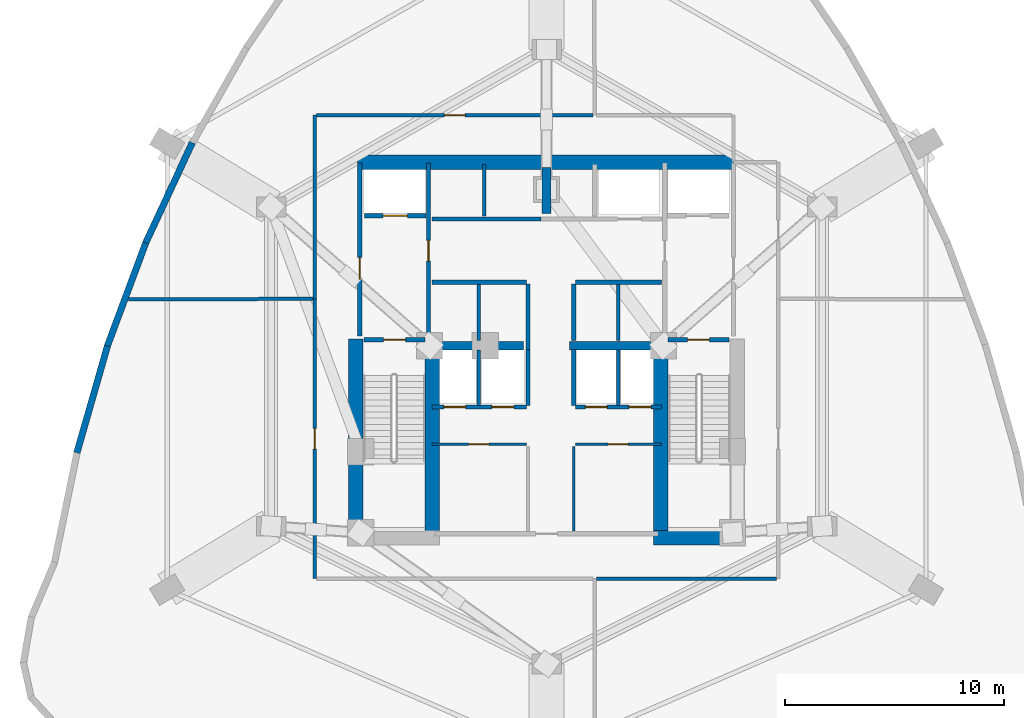
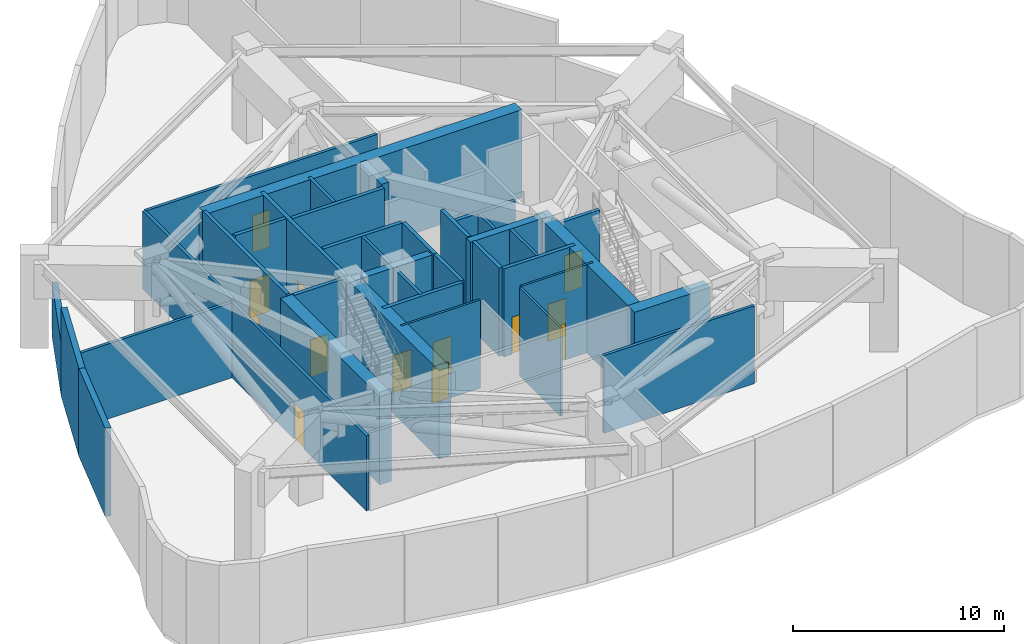
# One storey, part 3 of 6: 38 walls, 13 doors, 13 openings.
"""IFC4 building model written with IfcOpenShell, lengths in metres."""

from ifc_helpers import new_model, si_unit, direction, frame, frame_2d, origin, place, context, subcontext, project, spatial, rectangle, extrude, material, layer, layer_set, type_object, element, fill, save


model = new_model("IFC4")

# Units and contexts
model_context = context("Model", 3, precision=1e-05, world=origin(), true_north=direction((0.0, 1.0)))
body_context = subcontext(model_context, "Body", "Model", "MODEL_VIEW")
ifc_project = project(units=[si_unit("LENGTHUNIT", "METRE"), si_unit("AREAUNIT", "SQUARE_METRE"), si_unit("VOLUMEUNIT", "CUBIC_METRE"), si_unit("PLANEANGLEUNIT", "RADIAN"), si_unit("MASSUNIT", "GRAM", prefix="KILO")], contexts=[model_context])

# Site, building, storey
site_placement = place(None, origin())
site = spatial("IfcSite", under=ifc_project, at=site_placement, CompositionType="ELEMENT")
building_placement = place(site_placement, origin())
building = spatial("IfcBuilding", under=site, at=building_placement, Name="Miruveldt Soraemaru", CompositionType="ELEMENT")
storey_placement = place(building_placement, frame((0.0, 0.0, 90.39990234375)))
storey = spatial("IfcBuildingStorey", under=building, at=storey_placement, Name="L25", CompositionType="ELEMENT", Elevation=90.39990234375)

# Walls
ifc_material_1 = material(Name="Concrete C70/85 (70 MPa)", Category="concrete")
ifc_layer_1 = layer(ifc_material_1, 0.5, Name="Concrete C70/85 (70 MPa)", Category="concrete")
ifc_layer_set_1 = layer_set([ifc_layer_1], Name="Concrete C70/85 (70 MPa)")
wall_type_1 = type_object("IfcWallType", Name="WALL-BW-500", PredefinedType="SHEAR", material=ifc_layer_set_1)
wall_1_placement = place(storey_placement, frame((44.0, 50.10009765625, 0.0), z_axis=(0.0, 0.0, 1.0), x_axis=(0.0, 1.0, 0.0)))
element("IfcWall", 1, at=wall_1_placement, inside=storey, type_object=wall_type_1, Name="L25 Core Buttress Shear Wall BN", PredefinedType="SHEAR", context=body_context, shape_type="SweptSolid", body=[
    extrude(rectangle(XDim=2.099853515625, YDim=0.39990234375, at=frame_2d((1.0498046875, 0.0))), origin(), (0.0, 0.0, 1.0), 5.10009765625),
])
for number, where, z_axis, x_axis, name in (
    (2, (38.75, 44.050048828125, 0.0), (0.0, 0.0, 1.0), (1.0, 0.0, 0.0), "L25 Core Buttress Shear Wall BW"),
    (3, (45.050048828125, 44.050048828125, 0.0), (0.0, 0.0, 1.0), (1.0, 0.0, 0.0), "L25 Core Buttress Shear Wall BE"),
):
    element("IfcWall", number, at=place(storey_placement, frame(where, z_axis=z_axis, x_axis=x_axis)), inside=storey, type_object=wall_type_1, Name=name, PredefinedType="SHEAR", context=body_context, shape_type="SweptSolid", body=[
        extrude(rectangle(XDim=4.199951171875, YDim=0.39990234375, at=frame_2d((2.10009765625, 0.0))), origin(), (0.0, 0.0, 1.0), 5.10009765625),
    ])
ifc_material_2 = material(Name="Concrete C80/95 (80 MPa)", Category="concrete")
ifc_layer_2 = layer(ifc_material_2, 0.64990234375, Name="Concrete C80/95 (80 MPa)", Category="concrete")
ifc_layer_set_2 = layer_set([ifc_layer_2], Name="Concrete C80/95 (80 MPa)")
wall_type_2 = type_object("IfcWallType", Name="WALL-CW-650", PredefinedType="SHEAR", material=ifc_layer_set_2)
wall_2_placement = place(storey_placement, frame((35.35009765625, 52.449951171875, 0.0), z_axis=(0.0, 0.0, 1.0), x_axis=(1.0, 0.0, 0.0)))
element("IfcWall", 4, at=wall_2_placement, inside=storey, type_object=wall_type_2, Name="L25 Central Core Shear Wall N", PredefinedType="SHEAR", context=body_context, shape_type="SweptSolid", body=[
    extrude(rectangle(XDim=17.2998046875, YDim=0.64990234375, at=frame_2d((8.64990234375, 0.0))), origin(), (0.0, 0.0, 1.0), 5.10009765625),
])
wall_3_placement = place(storey_placement, frame((48.89990234375, 35.27490234375, 0.0), z_axis=(0.0, 0.0, 1.0), x_axis=(1.0, 0.0, 0.0)))
element("IfcWall", 5, at=wall_3_placement, inside=storey, type_object=wall_type_2, Name="L25 Central Core Shear Wall S2", PredefinedType="SHEAR", context=body_context, shape_type="SweptSolid", body=[
    extrude(rectangle(XDim=4.150146484375, YDim=0.64990234375, at=frame_2d((2.0751953125, 0.0))), origin(), (0.0, 0.0, 1.0), 5.10009765625),
])
wall_4_placement = place(storey_placement, frame((35.27490234375, 34.949951171875, 0.0), z_axis=(0.0, 0.0, 1.0), x_axis=(0.0, 1.0, 0.0)))
element("IfcWall", 6, at=wall_4_placement, inside=storey, type_object=wall_type_2, Name="L25 Central Core Shear Wall W1", PredefinedType="SHEAR", context=body_context, shape_type="SweptSolid", body=[
    extrude(rectangle(XDim=9.400146484375, YDim=0.64990234375, at=frame_2d((4.7001953125, 0.0))), origin(), (0.0, 0.0, 1.0), 5.10009765625),
])
for number, where, z_axis, x_axis, name in (
    (7, (38.77490234375, 35.39990234375, 0.0), (0.0, 0.0, 1.0), (0.0, 1.0, 0.0), "L25 Central Core Shear Wall SW-INT"),
    (8, (49.22509765625, 35.39990234375, 0.0), (0.0, 0.0, 1.0), (0.0, 1.0, 0.0), "L25 Central Core Shear Wall SE-INT"),
):
    element("IfcWall", number, at=place(storey_placement, frame(where, z_axis=z_axis, x_axis=x_axis)), inside=storey, type_object=wall_type_2, Name=name, PredefinedType="SHEAR", context=body_context, shape_type="SweptSolid", body=[
        extrude(rectangle(XDim=8.9501953125, YDim=0.64990234375, at=frame_2d((4.47509765625, 0.0))), origin(), (0.0, 0.0, 1.0), 5.10009765625),
    ])
ifc_material_3 = material(Name="Precast concrete C45/55 (45 MPa)", Category="concrete")
ifc_layer_3 = layer(ifc_material_3, 0.300048828125, Name="Precast concrete C45/55 (45 MPa)", Category="concrete")
ifc_layer_set_3 = layer_set([ifc_layer_3], Name="Precast concrete C45/55 (45 MPa)")
wall_type_3 = type_object("IfcWallType", Name="WALL-EXT-PC300", PredefinedType="SOLIDWALL", material=ifc_layer_set_3)
wall_5_placement = place(storey_placement, frame((27.800048828125, 53.3447265625, 0.0), z_axis=(0.0, 0.0, 1.0), x_axis=(-0.422304370011, -0.906454090988, 0.0)))
element("IfcWall", 9, at=wall_5_placement, inside=storey, type_object=wall_type_3, Name="L25 Precast Concrete Facade Wall 11", PredefinedType="SOLIDWALL", context=body_context, shape_type="SweptSolid", body=[
    extrude(rectangle(XDim=5.060791015625, YDim=0.300048828125, at=frame_2d((2.5302734375, 0.0))), origin(), (0.0, 0.0, 1.0), 3.088134765625),
])
wall_6_placement = place(storey_placement, frame((25.689697265625, 48.82177734375, 0.0), z_axis=(0.0, 0.0, 1.0), x_axis=(-0.349000064304, -0.937122700139, 0.0)))
element("IfcWall", 10, at=wall_6_placement, inside=storey, type_object=wall_type_3, Name="L25 Precast Concrete Facade Wall 12", PredefinedType="SOLIDWALL", context=body_context, shape_type="SweptSolid", body=[
    extrude(rectangle(XDim=5.0927734375, YDim=0.300048828125, at=frame_2d((2.54638671875, 0.0))), origin(), (0.0, 0.0, 1.0), 5.10009765625),
])
wall_7_placement = place(storey_placement, frame((23.93408203125, 44.115966796875, 0.0), z_axis=(0.0, 0.0, 1.0), x_axis=(-0.274933764691, -0.961463168839, 0.0)))
element("IfcWall", 11, at=wall_7_placement, inside=storey, type_object=wall_type_3, Name="L25 Precast Concrete Facade Wall 13", PredefinedType="SOLIDWALL", context=body_context, shape_type="SweptSolid", body=[
    extrude(rectangle(XDim=5.15576171875, YDim=0.300048828125, at=frame_2d((2.577880859375, 0.0))), origin(), (0.0, 0.0, 1.0), 5.10009765625),
])

# Wall, opening, door
ifc_material_4 = material(Name="Gypsum plasterboard lining", Category="gypsum")
ifc_layer_4 = layer(ifc_material_4, 0.1201171875, Name="Gypsum plasterboard lining", Category="gypsum")
ifc_layer_set_4 = layer_set([ifc_layer_4], Name="Gypsum plasterboard lining")
wall_type_4 = type_object("IfcWallType", Name="WALL-INT-P120", PredefinedType="PARTITIONING", material=ifc_layer_set_4)
wall_8_placement = place(storey_placement, frame((38.75, 39.550048828125, 0.0), z_axis=(0.0, 0.0, 1.0), x_axis=(1.0, 0.0, 0.0)))
wall_8 = element("IfcWall", 12, at=wall_8_placement, inside=storey, type_object=wall_type_4, Name="L25 Core Compartment Wall CSW-N", PredefinedType="PARTITIONING", context=body_context, shape_type="SweptSolid", body=[
    extrude(rectangle(XDim=4.330078125, YDim=0.1201171875, at=frame_2d((2.1650390625, 0.0))), origin(), (0.0, 0.0, 1.0), 5.10009765625),
])
opening_1_placement = place(wall_8_placement, frame((1.68994140625, 0.0, 0.0)))
opening_1 = element("IfcOpeningElement", 13, at=opening_1_placement, cuts=wall_8, Name="Opening D3A", PredefinedType="OPENING", context=body_context, shape_type="SweptSolid", body=[
    extrude(rectangle(XDim=0.919921875, YDim=2.10009765625, at=frame_2d((0.4599609375, 1.050048828125))), frame((0.0, 0.070068359375, 0.0), z_axis=(0.0, -1.0, 0.0), x_axis=(1.0, 0.0, 0.0)), (0.0, 0.0, 1.0), 0.14013671875),
])
ifc_material_5 = material(Name="Anodised aluminium EN AW-6063 T6", Category="aluminium")
door_type_1 = type_object("IfcDoorType", Name="DOOR-INT-920", OperationType="NOTDEFINED", PredefinedType="DOOR", material=ifc_material_5)
door_1_placement = place(opening_1_placement, origin())
door_1 = element("IfcDoor", 14, at=door_1_placement, inside=storey, type_object=door_type_1, Name="L25 Fire Door", OperationType="SINGLE_SWING_LEFT", OverallHeight=2.10009765625, OverallWidth=0.919921875, PredefinedType="DOOR", context=body_context, shape_type="SweptSolid", body=[
    extrude(rectangle(XDim=0.919921875, YDim=2.10009765625, at=frame_2d((0.4599609375, 1.050048828125))), frame((0.0, 0.02490234375, 0.0), z_axis=(0.0, -1.0, 0.0), x_axis=(1.0, 0.0, 0.0)), (0.0, 0.0, 1.0), 0.050048828125),
])
fill(opening_1, door_1)

wall_9_placement = place(storey_placement, frame((45.320068359375, 39.550048828125, 0.0), z_axis=(0.0, 0.0, 1.0), x_axis=(1.0, 0.0, 0.0)))
wall_9 = element("IfcWall", 15, at=wall_9_placement, inside=storey, type_object=wall_type_4, Name="L25 Core Compartment Wall CSE-N", PredefinedType="PARTITIONING", context=body_context, shape_type="SweptSolid", body=[
    extrude(rectangle(XDim=3.929931640625, YDim=0.1201171875, at=frame_2d((1.96484375, 0.0))), origin(), (0.0, 0.0, 1.0), 5.10009765625),
])
opening_2_placement = place(wall_9_placement, frame((1.489990234375, 0.0, 0.0)))
opening_2 = element("IfcOpeningElement", 16, at=opening_2_placement, cuts=wall_9, Name="Opening D3A", PredefinedType="OPENING", context=body_context, shape_type="SweptSolid", body=[
    extrude(rectangle(XDim=0.919921875, YDim=2.10009765625, at=frame_2d((0.4599609375, 1.050048828125))), frame((0.0, 0.070068359375, 0.0), z_axis=(0.0, -1.0, 0.0), x_axis=(1.0, 0.0, 0.0)), (0.0, 0.0, 1.0), 0.14013671875),
])
door_2_placement = place(opening_2_placement, origin())
door_2 = element("IfcDoor", 17, at=door_2_placement, inside=storey, type_object=door_type_1, Name="L25 Fire Door", OperationType="SINGLE_SWING_LEFT", OverallHeight=2.10009765625, OverallWidth=0.919921875, PredefinedType="DOOR", context=body_context, shape_type="SweptSolid", body=[
    extrude(rectangle(XDim=0.919921875, YDim=2.10009765625, at=frame_2d((0.4599609375, 1.050048828125))), frame((0.0, 0.02490234375, 0.0), z_axis=(0.0, -1.0, 0.0), x_axis=(1.0, 0.0, 0.0)), (0.0, 0.0, 1.0), 0.050048828125),
])
fill(opening_2, door_2)

# Wall
wall_10_placement = place(storey_placement, frame((45.25, 35.580078125, 0.0), z_axis=(0.0, 0.0, 1.0), x_axis=(0.0, 1.0, 0.0)))
element("IfcWall", 18, at=wall_10_placement, inside=storey, type_object=wall_type_4, Name="L25 Core Compartment Wall SP-ES", PredefinedType="PARTITIONING", context=body_context, shape_type="SweptSolid", body=[
    extrude(rectangle(XDim=3.869873046875, YDim=0.1201171875, at=frame_2d((1.93505859375, 0.0))), origin(), (0.0, 0.0, 1.0), 5.10009765625),
])

# Wall, opening, door
ifc_material_6 = material(Name="Concrete C40/50 (40 MPa)", Category="concrete")
ifc_layer_5 = layer(ifc_material_6, 0.159912109375, Name="Concrete C40/50 (40 MPa)", Category="concrete")
ifc_layer_set_5 = layer_set([ifc_layer_5], Name="Concrete C40/50 (40 MPa)")
wall_type_5 = type_object("IfcWallType", Name="WALL-INT-RC160", PredefinedType="SOLIDWALL", material=ifc_layer_set_5)
wall_11_placement = place(storey_placement, frame((33.39990234375, 46.199951171875, 0.0), z_axis=(0.0, 0.0, 1.0), x_axis=(0.0, -1.0, 0.0)))
wall_11 = element("IfcWall", 19, at=wall_11_placement, inside=storey, type_object=wall_type_5, Name="L25 Partition Wall 1", PredefinedType="SOLIDWALL", context=body_context, shape_type="SweptSolid", body=[
    extrude(rectangle(XDim=12.800048828125, YDim=0.159912109375, at=frame_2d((6.39990234375, 0.0))), origin(), (0.0, 0.0, 1.0), 4.338134765625),
])
opening_3_placement = place(wall_11_placement, frame((5.925048828125, 0.0, 0.0)))
opening_3 = element("IfcOpeningElement", 20, at=opening_3_placement, cuts=wall_11, Name="Opening FD2", PredefinedType="OPENING", context=body_context, shape_type="SweptSolid", body=[
    extrude(rectangle(XDim=0.949951171875, YDim=2.14990234375, at=frame_2d((0.47509765625, 1.074951171875))), frame((0.0, 0.08984375, 0.0), z_axis=(0.0, -1.0, 0.0), x_axis=(1.0, 0.0, 0.0)), (0.0, 0.0, 1.0), 0.179931640625),
])
door_type_2 = type_object("IfcDoorType", Name="DOOR-FD2-950", OperationType="NOTDEFINED", PredefinedType="DOOR", material=ifc_material_5)
door_3_placement = place(opening_3_placement, origin())
door_3 = element("IfcDoor", 21, at=door_3_placement, inside=storey, type_object=door_type_2, Name="L25 Refuge Area Fire Door", OperationType="SINGLE_SWING_RIGHT", OverallHeight=2.14990234375, OverallWidth=0.949951171875, PredefinedType="DOOR", context=body_context, shape_type="SweptSolid", body=[
    extrude(rectangle(XDim=0.949951171875, YDim=2.14990234375, at=frame_2d((0.47509765625, 1.074951171875))), frame((0.0, 0.02490234375, 0.0), z_axis=(0.0, -1.0, 0.0), x_axis=(1.0, 0.0, 0.0)), (0.0, 0.0, 1.0), 0.050048828125),
])
fill(opening_3, door_3)

wall_12_placement = place(storey_placement, frame((46.1201171875, 54.60009765625, 0.0), z_axis=(0.0, 0.0, 1.0), x_axis=(-1.0, 0.0, 0.0)))
wall_12 = element("IfcWall", 22, at=wall_12_placement, inside=storey, type_object=wall_type_5, Name="L25 Partition Wall 5", PredefinedType="SOLIDWALL", context=body_context, shape_type="SweptSolid", body=[
    extrude(rectangle(XDim=12.64013671875, YDim=0.159912109375, at=frame_2d((6.320068359375, 0.0))), origin(), (0.0, 0.0, 1.0), 4.5),
])
opening_4_placement = place(wall_12_placement, frame((5.844970703125, 0.0, 0.0)))
opening_4 = element("IfcOpeningElement", 23, at=opening_4_placement, cuts=wall_12, Name="Opening FD2", PredefinedType="OPENING", context=body_context, shape_type="SweptSolid", body=[
    extrude(rectangle(XDim=0.949951171875, YDim=2.14990234375, at=frame_2d((0.47509765625, 1.074951171875))), frame((0.0, 0.08984375, 0.0), z_axis=(0.0, -1.0, 0.0), x_axis=(1.0, 0.0, 0.0)), (0.0, 0.0, 1.0), 0.179931640625),
])
door_4_placement = place(opening_4_placement, origin())
door_4 = element("IfcDoor", 24, at=door_4_placement, inside=storey, type_object=door_type_2, Name="L25 Primary Air Handling Fan Plant Room Fire Door", OperationType="SINGLE_SWING_RIGHT", OverallHeight=2.14990234375, OverallWidth=0.949951171875, PredefinedType="DOOR", context=body_context, shape_type="SweptSolid", body=[
    extrude(rectangle(XDim=0.949951171875, YDim=2.14990234375, at=frame_2d((0.47509765625, 1.074951171875))), frame((0.0, 0.02490234375, 0.0), z_axis=(0.0, -1.0, 0.0), x_axis=(1.0, 0.0, 0.0)), (0.0, 0.0, 1.0), 0.050048828125),
])
fill(opening_4, door_4)

# Walls
wall_13_placement = place(storey_placement, frame((33.320068359375, 46.199951171875, 0.0), z_axis=(0.0, 0.0, 1.0), x_axis=(-0.999993673679, -0.003557049708, 0.0)))
element("IfcWall", 25, at=wall_13_placement, inside=storey, type_object=wall_type_5, Name="L25 Partition Wall 12", PredefinedType="SOLIDWALL", context=body_context, shape_type="SweptSolid", body=[
    extrude(rectangle(XDim=8.442138671875, YDim=0.159912109375, at=frame_2d((4.22119140625, 0.0))), origin(), (0.0, 0.0, 1.0), 4.338134765625),
])
wall_14_placement = place(storey_placement, frame((33.39990234375, 54.60009765625, 0.0), z_axis=(0.0, 0.0, 1.0), x_axis=(0.0, -1.0, 0.0)))
element("IfcWall", 26, at=wall_14_placement, inside=storey, type_object=wall_type_5, Name="L25 Partition Wall 6", PredefinedType="SOLIDWALL", context=body_context, shape_type="SweptSolid", body=[
    extrude(rectangle(XDim=8.400146484375, YDim=0.159912109375, at=frame_2d((4.2001953125, 0.0))), origin(), (0.0, 0.0, 1.0), 4.5),
])
wall_15_placement = place(storey_placement, frame((46.280029296875, 33.39990234375, 0.0), z_axis=(0.0, 0.0, 1.0), x_axis=(1.0, 0.0, 0.0)))
element("IfcWall", 27, at=wall_15_placement, inside=storey, type_object=wall_type_5, Name="L25 Partition Wall 3", PredefinedType="SOLIDWALL", context=body_context, shape_type="SweptSolid", body=[
    extrude(rectangle(XDim=8.239990234375, YDim=0.159912109375, at=frame_2d((4.1201171875, 0.0))), origin(), (0.0, 0.0, 1.0), 4.5),
])
wall_16_placement = place(storey_placement, frame((40.89990234375, 44.300048828125, 0.0), z_axis=(0.0, 0.0, 1.0), x_axis=(0.0, 1.0, 0.0)))
element("IfcWall", 28, at=wall_16_placement, inside=storey, type_object=wall_type_5, Name="L25 Core Compartment Wall PLM-DW", PredefinedType="SOLIDWALL", context=body_context, shape_type="SweptSolid", body=[
    extrude(rectangle(XDim=2.550048828125, YDim=0.159912109375, at=frame_2d((1.27490234375, 0.0))), origin(), (0.0, 0.0, 1.0), 5.10009765625),
])
wall_17_placement = place(storey_placement, frame((47.280029296875, 44.300048828125, 0.0), z_axis=(0.0, 0.0, 1.0), x_axis=(0.0, 1.0, 0.0)))
element("IfcWall", 29, at=wall_17_placement, inside=storey, type_object=wall_type_5, Name="L25 Core Compartment Wall PLM-DE", PredefinedType="SOLIDWALL", context=body_context, shape_type="SweptSolid", body=[
    extrude(rectangle(XDim=2.550048828125, YDim=0.159912109375, at=frame_2d((1.27490234375, 0.0))), origin(), (0.0, 0.0, 1.0), 4.18798828125),
])
for number, where, z_axis, x_axis, name in (
    (30, (40.89990234375, 41.320068359375, 0.0), (0.0, 0.0, 1.0), (0.0, 1.0, 0.0), "L25 Core Compartment Wall PLL-DW"),
    (31, (47.280029296875, 41.320068359375, 0.0), (0.0, 0.0, 1.0), (0.0, 1.0, 0.0), "L25 Core Compartment Wall PLL-DE"),
):
    element("IfcWall", number, at=place(storey_placement, frame(where, z_axis=z_axis, x_axis=x_axis)), inside=storey, type_object=wall_type_5, Name=name, PredefinedType="SOLIDWALL", context=body_context, shape_type="SweptSolid", body=[
        extrude(rectangle(XDim=2.530029296875, YDim=0.159912109375, at=frame_2d((1.26513671875, 0.0))), origin(), (0.0, 0.0, 1.0), 5.10009765625),
    ])
wall_18_placement = place(storey_placement, frame((41.14990234375, 49.97998046875, 0.0), z_axis=(0.0, 0.0, 1.0), x_axis=(0.0, 1.0, 0.0)))
element("IfcWall", 32, at=wall_18_placement, inside=storey, type_object=wall_type_5, Name="L25 Core Compartment Wall PLH-DIV1", PredefinedType="SOLIDWALL", context=body_context, shape_type="SweptSolid", body=[
    extrude(rectangle(XDim=2.3701171875, YDim=0.159912109375, at=frame_2d((1.18505859375, 0.0))), origin(), (0.0, 0.0, 1.0), 5.10009765625),
])

# Wall, opening, door
ifc_layer_6 = layer(ifc_material_6, 0.199951171875, Name="Concrete C40/50 (40 MPa)", Category="concrete")
ifc_layer_set_6 = layer_set([ifc_layer_6], Name="Concrete C40/50 (40 MPa)")
wall_type_6 = type_object("IfcWallType", Name="WALL-INT-RC200", PredefinedType="SOLIDWALL", material=ifc_layer_set_6)
wall_19_placement = place(storey_placement, frame((35.449951171875, 44.5, 0.0), z_axis=(0.0, 0.0, 1.0), x_axis=(0.0, 1.0, 0.0)))
wall_19 = element("IfcWall", 33, at=wall_19_placement, inside=storey, type_object=wall_type_6, Name="L25 Core Compartment Wall FFW-OUT", PredefinedType="SOLIDWALL", context=body_context, shape_type="SweptSolid", body=[
    extrude(rectangle(XDim=7.919921875, YDim=0.199951171875, at=frame_2d((3.9599609375, 0.0))), origin(), (0.0, 0.0, 1.0), 5.10009765625),
])
opening_5_placement = place(wall_19_placement, frame((2.60009765625, 0.0, 0.0)))
opening_5 = element("IfcOpeningElement", 34, at=opening_5_placement, cuts=wall_19, Name="Opening FD1", PredefinedType="OPENING", context=body_context, shape_type="SweptSolid", body=[
    extrude(rectangle(XDim=1.0, YDim=2.14990234375, at=frame_2d((0.5, 1.074951171875))), frame((0.0, 0.10986328125, 0.0), z_axis=(0.0, -1.0, 0.0), x_axis=(1.0, 0.0, 0.0)), (0.0, 0.0, 1.0), 0.219970703125),
])
door_type_3 = type_object("IfcDoorType", Name="DOOR-FD1-1000", OperationType="NOTDEFINED", PredefinedType="DOOR", material=ifc_material_5)
door_5_placement = place(opening_5_placement, origin())
door_5 = element("IfcDoor", 35, at=door_5_placement, inside=storey, type_object=door_type_3, Name="L25 West Firefighting Lobby Exit Door", OperationType="SINGLE_SWING_LEFT", OverallHeight=2.14990234375, OverallWidth=1.0, PredefinedType="DOOR", context=body_context, shape_type="SweptSolid", body=[
    extrude(rectangle(XDim=1.0, YDim=2.14990234375, at=frame_2d((0.5, 1.074951171875))), frame((0.0, 0.02490234375, 0.0), z_axis=(0.0, -1.0, 0.0), x_axis=(1.0, 0.0, 0.0)), (0.0, 0.0, 1.0), 0.050048828125),
])
fill(opening_5, door_5)

wall_20_placement = place(storey_placement, frame((38.60009765625, 44.5, 0.0), z_axis=(0.0, 0.0, 1.0), x_axis=(0.0, 1.0, 0.0)))
wall_20 = element("IfcWall", 36, at=wall_20_placement, inside=storey, type_object=wall_type_6, Name="L25 Core Compartment Wall FFW-IN", PredefinedType="SOLIDWALL", context=body_context, shape_type="SweptSolid", body=[
    extrude(rectangle(XDim=7.919921875, YDim=0.199951171875, at=frame_2d((3.9599609375, 0.0))), origin(), (0.0, 0.0, 1.0), 5.10009765625),
])
opening_6_placement = place(wall_20_placement, frame((3.425048828125, 0.0, 0.0)))
opening_6 = element("IfcOpeningElement", 37, at=opening_6_placement, cuts=wall_20, Name="Opening FD2", PredefinedType="OPENING", context=body_context, shape_type="SweptSolid", body=[
    extrude(rectangle(XDim=0.949951171875, YDim=2.14990234375, at=frame_2d((0.47509765625, 1.074951171875))), frame((0.0, 0.10986328125, 0.0), z_axis=(0.0, -1.0, 0.0), x_axis=(1.0, 0.0, 0.0)), (0.0, 0.0, 1.0), 0.219970703125),
])
door_6_placement = place(opening_6_placement, frame((0.949951171875, 0.0, 0.0), z_axis=(0.0, 0.0, 1.0), x_axis=(-1.0, 0.0, 0.0)))
door_6 = element("IfcDoor", 38, at=door_6_placement, inside=storey, type_object=door_type_2, Name="L25 Lift Lobby to West Fire Lobby Door", OperationType="SINGLE_SWING_RIGHT", OverallHeight=2.14990234375, OverallWidth=0.949951171875, PredefinedType="DOOR", context=body_context, shape_type="SweptSolid", body=[
    extrude(rectangle(XDim=0.949951171875, YDim=2.14990234375, at=frame_2d((0.47509765625, 1.074951171875))), frame((0.0, 0.02490234375, 0.0), z_axis=(0.0, -1.0, 0.0), x_axis=(1.0, 0.0, 0.0)), (0.0, 0.0, 1.0), 0.050048828125),
])
fill(opening_6, door_6)

# Wall, openings, doors
wall_21_placement = place(storey_placement, frame((38.75, 41.25, 0.0), z_axis=(0.0, 0.0, 1.0), x_axis=(1.0, 0.0, 0.0)))
wall_21 = element("IfcWall", 39, at=wall_21_placement, inside=storey, type_object=wall_type_6, Name="L25 Core Compartment Wall LBW-S", PredefinedType="SOLIDWALL", context=body_context, shape_type="SweptSolid", body=[
    extrude(rectangle(XDim=4.330078125, YDim=0.199951171875, at=frame_2d((2.1650390625, 0.0))), origin(), (0.0, 0.0, 1.0), 5.10009765625),
])
opening_7_placement = place(wall_21_placement, frame((0.550048828125, 0.0, 0.0)))
opening_7 = element("IfcOpeningElement", 40, at=opening_7_placement, cuts=wall_21, Name="Opening LD1B", PredefinedType="OPENING", context=body_context, shape_type="SweptSolid", body=[
    extrude(rectangle(XDim=1.0, YDim=2.14990234375, at=frame_2d((0.5, 1.074951171875))), frame((0.0, 0.10986328125, 0.0), z_axis=(0.0, -1.0, 0.0), x_axis=(1.0, 0.0, 0.0)), (0.0, 0.0, 1.0), 0.219970703125),
])
opening_8_placement = place(wall_21_placement, frame((2.75, 0.0, 0.0)))
opening_8 = element("IfcOpeningElement", 41, at=opening_8_placement, cuts=wall_21, Name="Opening LD1B", PredefinedType="OPENING", context=body_context, shape_type="SweptSolid", body=[
    extrude(rectangle(XDim=1.0, YDim=2.14990234375, at=frame_2d((0.5, 1.074951171875))), frame((0.0, 0.10986328125, 0.0), z_axis=(0.0, -1.0, 0.0), x_axis=(1.0, 0.0, 0.0)), (0.0, 0.0, 1.0), 0.219970703125),
])
door_type_4 = type_object("IfcDoorType", Name="DOOR-LD1-1000", OperationType="SLIDING_TO_LEFT", PredefinedType="DOOR", material=ifc_material_5)
door_7_placement = place(opening_7_placement, frame((1.0, 0.0, 0.0), z_axis=(0.0, 0.0, 1.0), x_axis=(-1.0, 0.0, 0.0)))
door_7 = element("IfcDoor", 42, at=door_7_placement, inside=storey, type_object=door_type_4, Name="L25 PL-L1 Landing Door", OperationType="SLIDING_TO_LEFT", OverallHeight=2.14990234375, OverallWidth=1.0, PredefinedType="DOOR", context=body_context, shape_type="SweptSolid", body=[
    extrude(rectangle(XDim=1.0, YDim=2.14990234375, at=frame_2d((0.5, 1.074951171875))), frame((0.0, 0.02490234375, 0.0), z_axis=(0.0, -1.0, 0.0), x_axis=(1.0, 0.0, 0.0)), (0.0, 0.0, 1.0), 0.050048828125),
])
fill(opening_7, door_7)
door_8_placement = place(opening_8_placement, frame((1.0, 0.0, 0.0), z_axis=(0.0, 0.0, 1.0), x_axis=(-1.0, 0.0, 0.0)))
door_8 = element("IfcDoor", 43, at=door_8_placement, inside=storey, type_object=door_type_4, Name="L25 PL-L2 Landing Door", OperationType="SLIDING_TO_LEFT", OverallHeight=2.14990234375, OverallWidth=1.0, PredefinedType="DOOR", context=body_context, shape_type="SweptSolid", body=[
    extrude(rectangle(XDim=1.0, YDim=2.14990234375, at=frame_2d((0.5, 1.074951171875))), frame((0.0, 0.02490234375, 0.0), z_axis=(0.0, -1.0, 0.0), x_axis=(1.0, 0.0, 0.0)), (0.0, 0.0, 1.0), 0.050048828125),
])
fill(opening_8, door_8)

wall_22_placement = place(storey_placement, frame((45.320068359375, 41.25, 0.0), z_axis=(0.0, 0.0, 1.0), x_axis=(1.0, 0.0, 0.0)))
wall_22 = element("IfcWall", 44, at=wall_22_placement, inside=storey, type_object=wall_type_6, Name="L25 Core Compartment Wall LBE-S", PredefinedType="SOLIDWALL", context=body_context, shape_type="SweptSolid", body=[
    extrude(rectangle(XDim=3.929931640625, YDim=0.199951171875, at=frame_2d((1.96484375, 0.0))), origin(), (0.0, 0.0, 1.0), 5.10009765625),
])
opening_9_placement = place(wall_22_placement, frame((0.449951171875, 0.0, 0.0)))
opening_9 = element("IfcOpeningElement", 45, at=opening_9_placement, cuts=wall_22, Name="Opening LD1B", PredefinedType="OPENING", context=body_context, shape_type="SweptSolid", body=[
    extrude(rectangle(XDim=1.0, YDim=2.14990234375, at=frame_2d((0.5, 1.074951171875))), frame((0.0, 0.10986328125, 0.0), z_axis=(0.0, -1.0, 0.0), x_axis=(1.0, 0.0, 0.0)), (0.0, 0.0, 1.0), 0.219970703125),
])
opening_10_placement = place(wall_22_placement, frame((2.449951171875, 0.0, 0.0)))
opening_10 = element("IfcOpeningElement", 46, at=opening_10_placement, cuts=wall_22, Name="Opening LD1B", PredefinedType="OPENING", context=body_context, shape_type="SweptSolid", body=[
    extrude(rectangle(XDim=1.0, YDim=2.14990234375, at=frame_2d((0.5, 1.074951171875))), frame((0.0, 0.10986328125, 0.0), z_axis=(0.0, -1.0, 0.0), x_axis=(1.0, 0.0, 0.0)), (0.0, 0.0, 1.0), 0.219970703125),
])
door_9_placement = place(opening_9_placement, frame((1.0, 0.0, 0.0), z_axis=(0.0, 0.0, 1.0), x_axis=(-1.0, 0.0, 0.0)))
door_9 = element("IfcDoor", 47, at=door_9_placement, inside=storey, type_object=door_type_4, Name="L25 PL-L3 Landing Door", OperationType="SLIDING_TO_LEFT", OverallHeight=2.14990234375, OverallWidth=1.0, PredefinedType="DOOR", context=body_context, shape_type="SweptSolid", body=[
    extrude(rectangle(XDim=1.0, YDim=2.14990234375, at=frame_2d((0.5, 1.074951171875))), frame((0.0, 0.02490234375, 0.0), z_axis=(0.0, -1.0, 0.0), x_axis=(1.0, 0.0, 0.0)), (0.0, 0.0, 1.0), 0.050048828125),
])
fill(opening_9, door_9)
door_10_placement = place(opening_10_placement, frame((1.0, 0.0, 0.0), z_axis=(0.0, 0.0, 1.0), x_axis=(-1.0, 0.0, 0.0)))
door_10 = element("IfcDoor", 48, at=door_10_placement, inside=storey, type_object=door_type_4, Name="L25 PL-L4 Landing Door", OperationType="SLIDING_TO_LEFT", OverallHeight=2.14990234375, OverallWidth=1.0, PredefinedType="DOOR", context=body_context, shape_type="SweptSolid", body=[
    extrude(rectangle(XDim=1.0, YDim=2.14990234375, at=frame_2d((0.5, 1.074951171875))), frame((0.0, 0.02490234375, 0.0), z_axis=(0.0, -1.0, 0.0), x_axis=(1.0, 0.0, 0.0)), (0.0, 0.0, 1.0), 0.050048828125),
])
fill(opening_10, door_10)

# Wall, opening, door
wall_23_placement = place(storey_placement, frame((35.64990234375, 44.320068359375, 0.0), z_axis=(0.0, 0.0, 1.0), x_axis=(1.0, 0.0, 0.0)))
wall_23 = element("IfcWall", 49, at=wall_23_placement, inside=storey, type_object=wall_type_6, Name="L25 Core Compartment Wall ST1-N", PredefinedType="SOLIDWALL", context=body_context, shape_type="SweptSolid", body=[
    extrude(rectangle(XDim=2.800048828125, YDim=0.199951171875, at=frame_2d((1.39990234375, 0.0))), origin(), (0.0, 0.0, 1.0), 5.10009765625),
])
opening_11_placement = place(wall_23_placement, frame((0.89990234375, 0.0, 0.0)))
opening_11 = element("IfcOpeningElement", 50, at=opening_11_placement, cuts=wall_23, Name="Opening FD1", PredefinedType="OPENING", context=body_context, shape_type="SweptSolid", body=[
    extrude(rectangle(XDim=1.0, YDim=2.14990234375, at=frame_2d((0.5, 1.074951171875))), frame((0.0, 0.10986328125, 0.0), z_axis=(0.0, -1.0, 0.0), x_axis=(1.0, 0.0, 0.0)), (0.0, 0.0, 1.0), 0.219970703125),
])
door_11_placement = place(opening_11_placement, frame((1.0, 0.0, 0.0), z_axis=(0.0, 0.0, 1.0), x_axis=(-1.0, 0.0, 0.0)))
door_11 = element("IfcDoor", 51, at=door_11_placement, inside=storey, type_object=door_type_3, Name="L25 Stair ST-1 Fire Door", OperationType="SINGLE_SWING_LEFT", OverallHeight=2.14990234375, OverallWidth=1.0, PredefinedType="DOOR", context=body_context, shape_type="SweptSolid", body=[
    extrude(rectangle(XDim=1.0, YDim=2.14990234375, at=frame_2d((0.5, 1.074951171875))), frame((0.0, 0.02490234375, 0.0), z_axis=(0.0, -1.0, 0.0), x_axis=(1.0, 0.0, 0.0)), (0.0, 0.0, 1.0), 0.050048828125),
])
fill(opening_11, door_11)

wall_24_placement = place(storey_placement, frame((49.550048828125, 44.320068359375, 0.0), z_axis=(0.0, 0.0, 1.0), x_axis=(1.0, 0.0, 0.0)))
wall_24 = element("IfcWall", 52, at=wall_24_placement, inside=storey, type_object=wall_type_6, Name="L25 Core Compartment Wall ST2-N", PredefinedType="SOLIDWALL", context=body_context, shape_type="SweptSolid", body=[
    extrude(rectangle(XDim=2.800048828125, YDim=0.199951171875, at=frame_2d((1.39990234375, 0.0))), origin(), (0.0, 0.0, 1.0), 4.18798828125),
])
opening_12_placement = place(wall_24_placement, frame((0.89990234375, 0.0, 0.0)))
opening_12 = element("IfcOpeningElement", 53, at=opening_12_placement, cuts=wall_24, Name="Opening FD1", PredefinedType="OPENING", context=body_context, shape_type="SweptSolid", body=[
    extrude(rectangle(XDim=1.0, YDim=2.14990234375, at=frame_2d((0.5, 1.074951171875))), frame((0.0, 0.10986328125, 0.0), z_axis=(0.0, -1.0, 0.0), x_axis=(1.0, 0.0, 0.0)), (0.0, 0.0, 1.0), 0.219970703125),
])
door_12_placement = place(opening_12_placement, frame((1.0, 0.0, 0.0), z_axis=(0.0, 0.0, 1.0), x_axis=(-1.0, 0.0, 0.0)))
door_12 = element("IfcDoor", 54, at=door_12_placement, inside=storey, type_object=door_type_3, Name="L25 Stair ST-2 Fire Door", OperationType="SINGLE_SWING_RIGHT", OverallHeight=2.14990234375, OverallWidth=1.0, PredefinedType="DOOR", context=body_context, shape_type="SweptSolid", body=[
    extrude(rectangle(XDim=1.0, YDim=2.14990234375, at=frame_2d((0.5, 1.074951171875))), frame((0.0, 0.02490234375, 0.0), z_axis=(0.0, -1.0, 0.0), x_axis=(1.0, 0.0, 0.0)), (0.0, 0.0, 1.0), 0.050048828125),
])
fill(opening_12, door_12)

wall_25_placement = place(storey_placement, frame((35.679931640625, 50.0, 0.0), z_axis=(0.0, 0.0, 1.0), x_axis=(1.0, 0.0, 0.0)))
wall_25 = element("IfcWall", 55, at=wall_25_placement, inside=storey, type_object=wall_type_6, Name="L25 Core Compartment Wall FFL1-S", PredefinedType="SOLIDWALL", context=body_context, shape_type="SweptSolid", body=[
    extrude(rectangle(XDim=2.800048828125, YDim=0.199951171875, at=frame_2d((1.39990234375, 0.0))), origin(), (0.0, 0.0, 1.0), 5.10009765625),
])
opening_13_placement = place(wall_25_placement, frame((0.85009765625, 0.0, 0.0)))
opening_13 = element("IfcOpeningElement", 56, at=opening_13_placement, cuts=wall_25, Name="Opening LD2", PredefinedType="OPENING", context=body_context, shape_type="SweptSolid", body=[
    extrude(rectangle(XDim=1.10009765625, YDim=2.14990234375, at=frame_2d((0.550048828125, 1.074951171875))), frame((0.0, 0.10986328125, 0.0), z_axis=(0.0, -1.0, 0.0), x_axis=(1.0, 0.0, 0.0)), (0.0, 0.0, 1.0), 0.219970703125),
])
door_type_5 = type_object("IfcDoorType", Name="DOOR-LD2-1100", OperationType="SLIDING_TO_LEFT", PredefinedType="DOOR", material=ifc_material_5)
door_13_placement = place(opening_13_placement, origin())
door_13 = element("IfcDoor", 57, at=door_13_placement, inside=storey, type_object=door_type_5, Name="L25 FFL-1 Landing Door", OperationType="SLIDING_TO_LEFT", OverallHeight=2.14990234375, OverallWidth=1.10009765625, PredefinedType="DOOR", context=body_context, shape_type="SweptSolid", body=[
    extrude(rectangle(XDim=1.10009765625, YDim=2.14990234375, at=frame_2d((0.550048828125, 1.074951171875))), frame((0.0, 0.02490234375, 0.0), z_axis=(0.0, -1.0, 0.0), x_axis=(1.0, 0.0, 0.0)), (0.0, 0.0, 1.0), 0.050048828125),
])
fill(opening_13, door_13)

# Walls
wall_26_placement = place(storey_placement, frame((38.75, 49.85009765625, 0.0), z_axis=(0.0, 0.0, 1.0), x_axis=(1.0, 0.0, 0.0)))
element("IfcWall", 58, at=wall_26_placement, inside=storey, type_object=wall_type_6, Name="L25 Core Compartment Wall ROWA-SW", PredefinedType="SOLIDWALL", context=body_context, shape_type="SweptSolid", body=[
    extrude(rectangle(XDim=5.0, YDim=0.199951171875, at=frame_2d((2.5, 0.0))), origin(), (0.0, 0.0, 1.0), 5.10009765625),
])
wall_27_placement = place(storey_placement, frame((38.75, 46.949951171875, 0.0), z_axis=(0.0, 0.0, 1.0), x_axis=(1.0, 0.0, 0.0)))
element("IfcWall", 59, at=wall_27_placement, inside=storey, type_object=wall_type_6, Name="L25 Core Compartment Wall MBW-N", PredefinedType="SOLIDWALL", context=body_context, shape_type="SweptSolid", body=[
    extrude(rectangle(XDim=4.330078125, YDim=0.199951171875, at=frame_2d((2.1650390625, 0.0))), origin(), (0.0, 0.0, 1.0), 5.10009765625),
])
wall_28_placement = place(storey_placement, frame((45.320068359375, 46.949951171875, 0.0), z_axis=(0.0, 0.0, 1.0), x_axis=(1.0, 0.0, 0.0)))
element("IfcWall", 60, at=wall_28_placement, inside=storey, type_object=wall_type_6, Name="L25 Core Compartment Wall MBE-N", PredefinedType="SOLIDWALL", context=body_context, shape_type="SweptSolid", body=[
    extrude(rectangle(XDim=3.929931640625, YDim=0.199951171875, at=frame_2d((1.96484375, 0.0))), origin(), (0.0, 0.0, 1.0), 4.18798828125),
])
wall_29_placement = place(storey_placement, frame((43.14990234375, 43.8798828125, 0.0), z_axis=(0.0, 0.0, 1.0), x_axis=(0.0, 1.0, 0.0)))
element("IfcWall", 61, at=wall_29_placement, inside=storey, type_object=wall_type_6, Name="L25 Core Compartment Wall SP-WB", PredefinedType="SOLIDWALL", context=body_context, shape_type="SweptSolid", body=[
    extrude(rectangle(XDim=3.0, YDim=0.199951171875, at=frame_2d((1.5, 0.0))), origin(), (0.0, 0.0, 1.0), 5.10009765625),
])
wall_30_placement = place(storey_placement, frame((45.25, 44.300048828125, 0.0), z_axis=(0.0, 0.0, 1.0), x_axis=(0.0, 1.0, 0.0)))
element("IfcWall", 62, at=wall_30_placement, inside=storey, type_object=wall_type_6, Name="L25 Core Compartment Wall SP-EB", PredefinedType="SOLIDWALL", context=body_context, shape_type="SweptSolid", body=[
    extrude(rectangle(XDim=2.579833984375, YDim=0.199951171875, at=frame_2d((1.2900390625, 0.0))), origin(), (0.0, 0.0, 1.0), 5.10009765625),
])
for number, where, z_axis, x_axis, name in (
    (63, (43.14990234375, 41.320068359375, 0.0), (0.0, 0.0, 1.0), (0.0, 1.0, 0.0), "L25 Core Compartment Wall SP-WC"),
    (64, (45.25, 41.320068359375, 0.0), (0.0, 0.0, 1.0), (0.0, 1.0, 0.0), "L25 Core Compartment Wall SP-EC"),
):
    element("IfcWall", number, at=place(storey_placement, frame(where, z_axis=z_axis, x_axis=x_axis)), inside=storey, type_object=wall_type_6, Name=name, PredefinedType="SOLIDWALL", context=body_context, shape_type="SweptSolid", body=[
        extrude(rectangle(XDim=2.559814453125, YDim=0.199951171875, at=frame_2d((1.27978515625, 0.0))), origin(), (0.0, 0.0, 1.0), 5.10009765625),
    ])

save(model, "model.ifc")
